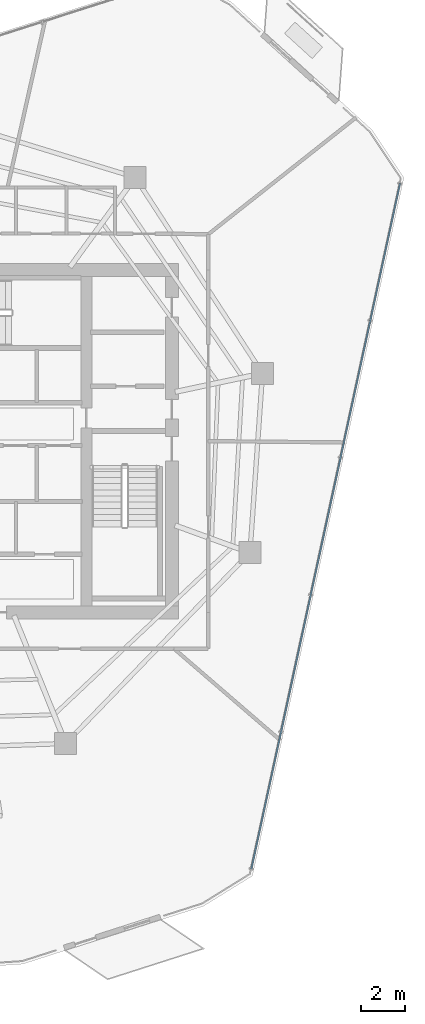
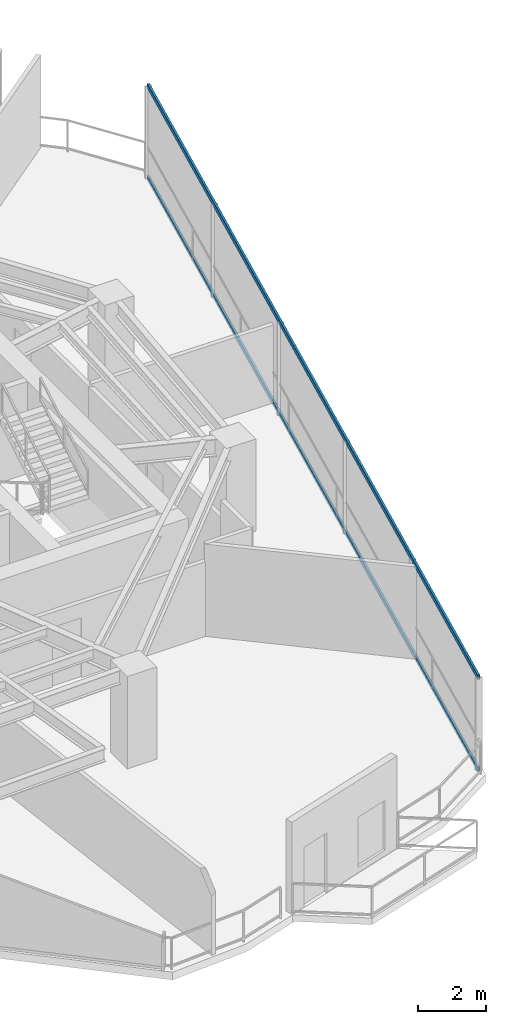
# One storey, part 10 of 21: 2 members, 1 element without a shape of its own.
"""IFC4 building model written with IfcOpenShell, lengths in metres."""

from ifc_helpers import new_model, si_unit, direction, frame, origin, origin_2d, place, context, subcontext, project, spatial, hollow_rectangle, extrude, material, layer, layer_set, material_profile, profile_set, type_object, element, aggregate, save


model = new_model("IFC4")

# Units and contexts
model_context = context("Model", 3, precision=1e-05, world=origin(), true_north=direction((0.0, 1.0)))
body_context = subcontext(model_context, "Body", "Model", "MODEL_VIEW")
ifc_project = project(units=[si_unit("LENGTHUNIT", "METRE"), si_unit("AREAUNIT", "SQUARE_METRE"), si_unit("VOLUMEUNIT", "CUBIC_METRE"), si_unit("PLANEANGLEUNIT", "RADIAN"), si_unit("MASSUNIT", "GRAM", prefix="KILO")], contexts=[model_context])

# Site, building, storey
site_placement = place(None, origin())
site = spatial("IfcSite", under=ifc_project, at=site_placement, CompositionType="ELEMENT")
building_placement = place(site_placement, origin())
building = spatial("IfcBuilding", under=site, at=building_placement, Name="Qarnah Convention Tower", CompositionType="ELEMENT")
storey_placement = place(building_placement, frame((0.0, 0.0, 132.89990234375)))
storey = spatial("IfcBuildingStorey", under=building, at=storey_placement, Name="L35", CompositionType="ELEMENT", Elevation=132.89990234375)

# Curtain wall, members
ifc_material_1 = material(Name="Tempered Low-E dark glass", Category="glass")
ifc_layer = layer(ifc_material_1, 0.172119140625)
ifc_layer_set = layer_set([ifc_layer], Name="Tempered Low-E dark glass")
curtain_wall_type = type_object("IfcCurtainWallType", Name="CWS-03", PredefinedType="NOTDEFINED", material=ifc_layer_set)
curtain_wall_placement = place(storey_placement, origin())
curtain_wall = element("IfcCurtainWall", 1, at=curtain_wall_placement, inside=storey, type_object=curtain_wall_type, Name="L35 unitised curtain wall CW-L35-F3", PredefinedType="NOTDEFINED")
ifc_material_2 = material(Name="Black anodised aluminium", Category="aluminium")
ifc_material_profile = material_profile(ifc_material_2, hollow_rectangle(XDim=0.070068359375, YDim=0.169921875, WallThickness=0.0048828125, at=origin_2d()), Name="TRN-70X170")
ifc_profile_set = profile_set([ifc_material_profile], Name="Black anodised aluminium")
member_type = type_object("IfcMemberType", Name="TRN-T3", PredefinedType="USERDEFINED", material=ifc_profile_set)
member_1_placement = place(storey_placement, frame((57.987060546875, 38.131103515625, 0.0), z_axis=(-0.212016084107, -0.977266176679, 0.0), x_axis=(0.977266176679, -0.212016084107, 0.0)))
member_1 = element("IfcMember", 2, at=member_1_placement, type_object=member_type, Name="CW-L35-F3 transom 1", ObjectType="TRANSOM", PredefinedType="USERDEFINED", context=body_context, shape_type="SweptSolid", body=[
    extrude(hollow_rectangle(XDim=0.070068359375, YDim=0.169921875, WallThickness=0.0048828125, at=origin_2d()), origin(), (0.0, 0.0, 1.0), 31.936279296875),
])
member_2_placement = place(storey_placement, frame((57.987060546875, 38.131103515625, 3.320068359375), z_axis=(-0.212016084107, -0.977266176679, 0.0), x_axis=(0.977266176679, -0.212016084107, 0.0)))
member_2 = element("IfcMember", 3, at=member_2_placement, type_object=member_type, Name="CW-L35-F3 transom 2", ObjectType="TRANSOM", PredefinedType="USERDEFINED", context=body_context, shape_type="SweptSolid", body=[
    extrude(hollow_rectangle(XDim=0.070068359375, YDim=0.169921875, WallThickness=0.0048828125, at=origin_2d()), origin(), (0.0, 0.0, 1.0), 31.936279296875),
])
aggregate(curtain_wall, [member_1, member_2])

save(model, "model.ifc")
